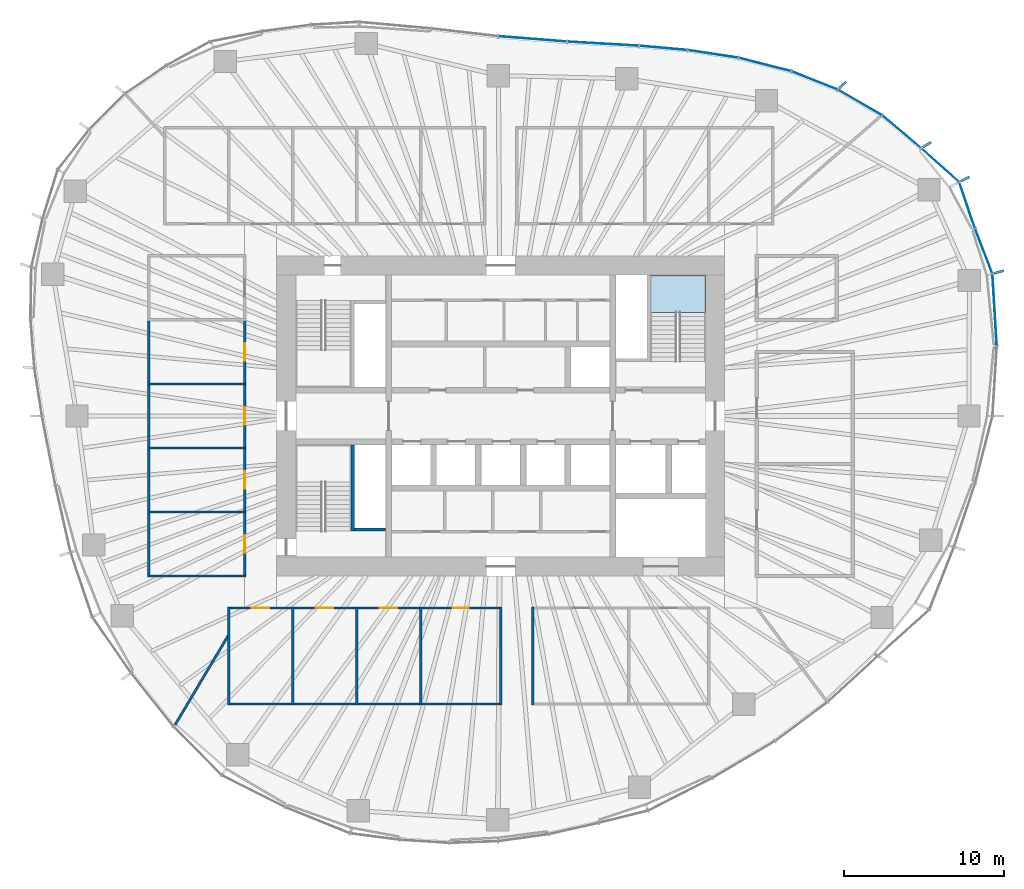
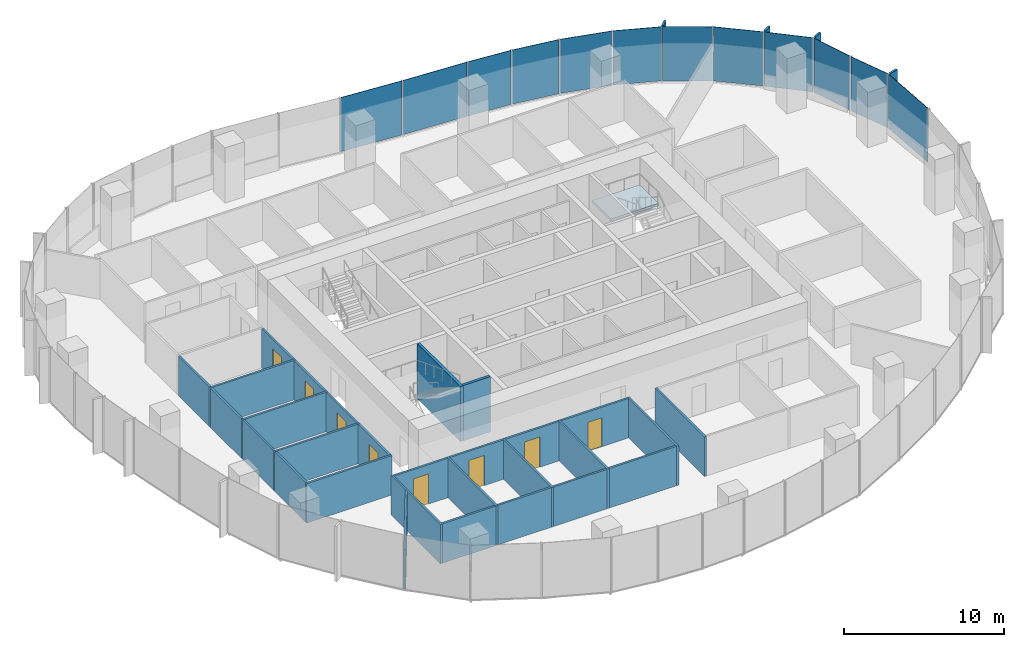
# One storey, part 8 of 18: 29 walls, 16 plates, 8 doors, 1 slab, 8 openings, 6 elements without a shape of their own.
"""IFC4 building model written with IfcOpenShell, lengths in metres."""

from ifc_helpers import new_model, si_unit, direction, frame, frame_2d, origin, origin_2d, place, context, subcontext, project, spatial, polyline, rectangle, outline, extrude, material, layer, layer_set, type_object, element, fill, aggregate, save


model = new_model("IFC4")

# Units and contexts
model_context = context("Model", 3, precision=1e-05, world=origin(), true_north=direction((0.0, 1.0)))
body_context = subcontext(model_context, "Body", "Model", "MODEL_VIEW")
ifc_project = project(units=[si_unit("LENGTHUNIT", "METRE"), si_unit("AREAUNIT", "SQUARE_METRE"), si_unit("VOLUMEUNIT", "CUBIC_METRE"), si_unit("PLANEANGLEUNIT", "RADIAN"), si_unit("MASSUNIT", "GRAM", prefix="KILO")], contexts=[model_context])

# Site, building, storey
site_placement = place(None, origin())
site = spatial("IfcSite", under=ifc_project, at=site_placement, CompositionType="ELEMENT")
building_placement = place(site_placement, origin())
building = spatial("IfcBuilding", under=site, at=building_placement, Name="Ghaith Harvest Tower", CompositionType="ELEMENT")
storey_placement = place(building_placement, frame((0.0, 0.0, 168.0)))
storey = spatial("IfcBuildingStorey", under=building, at=storey_placement, Name="L36", CompositionType="ELEMENT", Elevation=168.0)

# Curtain wall, plate
ifc_material_1 = material(Name="Black anodised aluminium and fritted glass", Category="aluminium")
curtain_wall_type = type_object("IfcCurtainWallType", Name="CW-L CURTAIN WALL", PredefinedType="NOTDEFINED", material=ifc_material_1)
curtain_wall_1_placement = place(storey_placement, origin())
curtain_wall_1 = element("IfcCurtainWall", 1, at=curtain_wall_1_placement, inside=storey, type_object=curtain_wall_type, Name="Curtain wall CW-L bay 01 L36", PredefinedType="NOTDEFINED")
ifc_material_2 = material(Name="Glass, dark solar-control fritted double glazed unit", Category="glass")
ifc_layer_1 = layer(ifc_material_2, 0.031982421875)
ifc_layer_set_1 = layer_set([ifc_layer_1], Name="CW-L VISION PANEL")
plate_type_1 = type_object("IfcPlateType", Name="CW-L VISION PANEL", PredefinedType="CURTAIN_PANEL", material=ifc_layer_set_1)
plate_1_placement = place(storey_placement, frame((30.863037109375, 6.63525390625, 0.079833984375), z_axis=(0.0, 0.0, 1.0), x_axis=(-0.060320650032, 0.998179051663, 0.0)))
plate_1 = element("IfcPlate", 2, at=plate_1_placement, type_object=plate_type_1, Name="CW-L glass unit 2 bay 01 L36", PredefinedType="CURTAIN_PANEL", context=body_context, shape_type="SweptSolid", body=[
    extrude(rectangle(XDim=4.419189453125, YDim=0.031982421875, at=origin_2d()), origin(), (0.0, 0.0, 1.0), 4.1201171875),
])
aggregate(curtain_wall_1, [plate_1])

# Curtain wall, plates
curtain_wall_2_placement = place(storey_placement, origin())
curtain_wall_2 = element("IfcCurtainWall", 3, at=curtain_wall_2_placement, inside=storey, type_object=curtain_wall_type, Name="Curtain wall CW-L bay 02 L36", PredefinedType="NOTDEFINED")
plate_2_placement = place(storey_placement, frame((30.180908203125, 10.29833984375, 0.079833984375), z_axis=(0.0, 0.0, 1.0), x_axis=(-0.359676824997, 0.933076943001, 0.0)))
plate_2 = element("IfcPlate", 4, at=plate_2_placement, type_object=plate_type_1, Name="CW-L glass unit 1 bay 02 L36", PredefinedType="CURTAIN_PANEL", context=body_context, shape_type="SweptSolid", body=[
    extrude(rectangle(XDim=2.95849609375, YDim=0.031982421875, at=origin_2d()), origin(), (0.0, 0.0, 1.0), 4.1201171875),
])
plate_3_placement = place(storey_placement, frame((29.142333984375, 13.163818359375, 0.079833984375), z_axis=(0.0, 0.0, 1.0), x_axis=(-0.321853304376, 0.946789549194, 0.0)))
plate_3 = element("IfcPlate", 5, at=plate_3_placement, type_object=plate_type_1, Name="CW-L glass unit 2 bay 02 L36", PredefinedType="CURTAIN_PANEL", context=body_context, shape_type="SweptSolid", body=[
    extrude(rectangle(XDim=2.978759765625, YDim=0.031982421875, at=origin_2d()), origin(), (0.0, 0.0, 1.0), 4.1201171875),
])
plate_4_placement = place(storey_placement, frame((27.46533203125, 15.668701171875, 0.079833984375), z_axis=(0.0, 0.0, 1.0), x_axis=(-0.746250544556, 0.665665174656, 0.0)))
plate_4 = element("IfcPlate", 6, at=plate_4_placement, type_object=plate_type_1, Name="CW-L glass unit 3 bay 02 L36", PredefinedType="CURTAIN_PANEL", context=body_context, shape_type="SweptSolid", body=[
    extrude(rectangle(XDim=3.094970703125, YDim=0.031982421875, at=origin_2d()), origin(), (0.0, 0.0, 1.0), 4.1201171875),
])
aggregate(curtain_wall_2, [plate_2, plate_3, plate_4])

curtain_wall_3_placement = place(storey_placement, origin())
curtain_wall_3 = element("IfcCurtainWall", 7, at=curtain_wall_3_placement, inside=storey, type_object=curtain_wall_type, Name="Curtain wall CW-L bay 03 L36", PredefinedType="NOTDEFINED")
plate_5_placement = place(storey_placement, frame((25.05126953125, 17.7587890625, 0.079833984375), z_axis=(0.0, 0.0, 1.0), x_axis=(-0.765473064857, 0.643467937801, 0.0)))
plate_5 = element("IfcPlate", 8, at=plate_5_placement, type_object=plate_type_1, Name="CW-L glass unit 1 bay 03 L36", PredefinedType="CURTAIN_PANEL", context=body_context, shape_type="SweptSolid", body=[
    extrude(rectangle(XDim=3.13232421875, YDim=0.031982421875, at=origin_2d()), origin(), (0.0, 0.0, 1.0), 4.1201171875),
])
plate_6_placement = place(storey_placement, frame((22.444091796875, 19.590576171875, 0.079833984375), z_axis=(0.0, 0.0, 1.0), x_axis=(-0.865232087993, 0.501371552751, 0.0)))
plate_6 = element("IfcPlate", 9, at=plate_6_placement, type_object=plate_type_1, Name="CW-L glass unit 2 bay 03 L36", PredefinedType="CURTAIN_PANEL", context=body_context, shape_type="SweptSolid", body=[
    extrude(rectangle(XDim=3.10498046875, YDim=0.031982421875, at=origin_2d()), origin(), (0.0, 0.0, 1.0), 4.1201171875),
])
plate_7_placement = place(storey_placement, frame((19.6142578125, 20.963623046875, 0.079833984375), z_axis=(0.0, 0.0, 1.0), x_axis=(-0.929876534019, 0.367871759558, 0.0)))
plate_7 = element("IfcPlate", 10, at=plate_7_placement, type_object=plate_type_1, Name="CW-L glass unit 3 bay 03 L36", PredefinedType="CURTAIN_PANEL", context=body_context, shape_type="SweptSolid", body=[
    extrude(rectangle(XDim=3.042724609375, YDim=0.031982421875, at=origin_2d()), origin(), (0.0, 0.0, 1.0), 4.1201171875),
])
aggregate(curtain_wall_3, [plate_5, plate_6, plate_7])

curtain_wall_4_placement = place(storey_placement, origin())
curtain_wall_4 = element("IfcCurtainWall", 11, at=curtain_wall_4_placement, inside=storey, type_object=curtain_wall_type, Name="Curtain wall CW-L bay 04 L36", PredefinedType="NOTDEFINED")
plate_8_placement = place(storey_placement, frame((16.513427734375, 21.958740234375, 0.079833984375), z_axis=(0.0, 0.0, 1.0), x_axis=(-0.96893110987, 0.247330758955, 0.0)))
plate_8 = element("IfcPlate", 12, at=plate_8_placement, type_object=plate_type_1, Name="CW-L glass unit 1 bay 04 L36", PredefinedType="CURTAIN_PANEL", context=body_context, shape_type="SweptSolid", body=[
    extrude(rectangle(XDim=3.3232421875, YDim=0.031982421875, at=origin_2d()), origin(), (0.0, 0.0, 1.0), 4.1201171875),
])
plate_9_placement = place(storey_placement, frame((13.2685546875, 22.621826171875, 0.079833984375), z_axis=(0.0, 0.0, 1.0), x_axis=(-0.988678736369, 0.150047846542, 0.0)))
plate_9 = element("IfcPlate", 13, at=plate_9_placement, type_object=plate_type_1, Name="CW-L glass unit 2 bay 04 L36", PredefinedType="CURTAIN_PANEL", context=body_context, shape_type="SweptSolid", body=[
    extrude(rectangle(XDim=3.14892578125, YDim=0.031982421875, at=origin_2d()), origin(), (0.0, 0.0, 1.0), 4.1201171875),
])
plate_10_placement = place(storey_placement, frame((10.15966796875, 22.9970703125, 0.079833984375), z_axis=(0.0, 0.0, 1.0), x_axis=(-0.996166190972, 0.087480969151, 0.0)))
plate_10 = element("IfcPlate", 14, at=plate_10_placement, type_object=plate_type_1, Name="CW-L glass unit 3 bay 04 L36", PredefinedType="CURTAIN_PANEL", context=body_context, shape_type="SweptSolid", body=[
    extrude(rectangle(XDim=2.957275390625, YDim=0.031982421875, at=origin_2d()), origin(), (0.0, 0.0, 1.0), 4.1201171875),
])
aggregate(curtain_wall_4, [plate_8, plate_9, plate_10])

curtain_wall_5_placement = place(storey_placement, origin())
curtain_wall_5 = element("IfcCurtainWall", 15, at=curtain_wall_5_placement, inside=storey, type_object=curtain_wall_type, Name="Curtain wall CW-L bay 05 L36", PredefinedType="NOTDEFINED")
plate_11_placement = place(storey_placement, frame((6.396728515625, 23.260498046875, 0.079833984375), z_axis=(0.0, 0.0, 1.0), x_axis=(-0.998320798751, 0.05792739233, 0.0)))
plate_11 = element("IfcPlate", 16, at=plate_11_placement, type_object=plate_type_1, Name="CW-L glass unit 1 bay 05 L36", PredefinedType="CURTAIN_PANEL", context=body_context, shape_type="SweptSolid", body=[
    extrude(rectangle(XDim=4.427734375, YDim=0.031982421875, at=origin_2d()), origin(), (0.0, 0.0, 1.0), 4.1201171875),
])
plate_12_placement = place(storey_placement, frame((1.9921875, 23.560302734375, 0.079833984375), z_axis=(0.0, 0.0, 1.0), x_axis=(-0.996925121312, 0.078360082291, 0.0)))
plate_12 = element("IfcPlate", 17, at=plate_12_placement, type_object=plate_type_1, Name="CW-L glass unit 2 bay 05 L36", PredefinedType="CURTAIN_PANEL", context=body_context, shape_type="SweptSolid", body=[
    extrude(rectangle(XDim=4.242431640625, YDim=0.031982421875, at=origin_2d()), origin(), (0.0, 0.0, 1.0), 4.1201171875),
])
aggregate(curtain_wall_5, [plate_11, plate_12])

# Stair, slab
ifc_material_3 = material(Name="Concrete C40/50, precast", Category="concrete")
stair_type = type_object("IfcStairType", Name="CORE STAIR 24R", PredefinedType="HALF_TURN_STAIR", material=ifc_material_3)
stair_placement = place(storey_placement, origin())
stair = element("IfcStair", 18, at=stair_placement, inside=storey, type_object=stair_type, Name="Stair ST2 L36", PredefinedType="HALF_TURN_STAIR")
ifc_material_4 = material(Name="Concrete C40/50, precast", Category="concrete")
ifc_layer_2 = layer(ifc_material_4, 0.179931640625)
ifc_layer_set_2 = layer_set([ifc_layer_2], Name="STAIR LANDING 180")
slab_type = type_object("IfcSlabType", Name="STAIR LANDING 180", PredefinedType="LANDING", material=ifc_layer_set_2)
slab_placement = place(storey_placement, frame((0.0, 0.0, 1.919921875)))
slab = element("IfcSlab", 19, at=slab_placement, type_object=slab_type, Name="ST2 landing 1", PredefinedType="LANDING", context=body_context, shape_type="SweptSolid", body=[
    extrude(outline(polyline([(12.800048828125, 6.4599609375), (12.800048828125, 8.800048828125), (9.35009765625, 8.800048828125), (9.35009765625, 6.4599609375), (12.800048828125, 6.4599609375)])), origin(), (0.0, 0.0, 1.0), 0.18017578125),
])
aggregate(stair, [slab])

# Plates
ifc_material_5 = material(Name="Glassfibre-reinforced concrete", Category="concrete")
ifc_layer_3 = layer(ifc_material_5, 0.14990234375)
ifc_layer_set_3 = layer_set([ifc_layer_3], Name="SUN-BREAKER FIN 600x150")
plate_type_2 = type_object("IfcPlateType", Name="SUN-BREAKER FIN 600x150", PredefinedType="USERDEFINED", material=ifc_layer_set_3)
for number, where, z_axis, x_axis, name in (
    (20, (31.130859375, 8.99755859375, 0.0), (0.0, 0.0, 1.0), (0.960680349985, 0.277656739792, 0.0), "Sun-breaker fin CW-L 1 bay 02 L36"),
    (21, (29.024169921875, 14.802734375, 0.0), (0.0, 0.0, 1.0), (0.890830752257, 0.454335306611, 0.0), "Sun-breaker fin CW-L 3 bay 02 L36"),
    (22, (26.635009765625, 16.95068359375, 0.0), (0.0, 0.0, 1.0), (0.843643971464, 0.536903016766, 0.0), "Sun-breaker fin CW-L 1 bay 03 L36"),
    (23, (21.367919921875, 20.68115234375, 0.0), (0.0, 0.0, 1.0), (0.7185589652, 0.69546604053, 0.0), "Sun-breaker fin CW-L 3 bay 03 L36"),
):
    element("IfcPlate", number, at=place(storey_placement, frame(where, z_axis=z_axis, x_axis=x_axis)), inside=storey, type_object=plate_type_2, Name=name, ObjectType="SUN-BREAKER FIN", PredefinedType="USERDEFINED", context=body_context, shape_type="SweptSolid", body=[
        extrude(rectangle(XDim=0.60009765625, YDim=0.14990234375, at=origin_2d()), origin(), (0.0, 0.0, 1.0), 4.199951171875),
    ])

# Walls
ifc_material_6 = material(Name="Gypsum board on steel studs", Category="steel")
ifc_layer_4 = layer(ifc_material_6, 0.14990234375)
ifc_layer_set_4 = layer_set([ifc_layer_4], Name="PARTITION 150")
wall_type_1 = type_object("IfcWallType", Name="PARTITION 150", PredefinedType="PARTITIONING", material=ifc_layer_set_4)
for number, where, z_axis, x_axis, name in (
    (24, (-17.0, -11.925048828125, 0.0), (0.0, 0.0, 1.0), (0.0, -1.0, 0.0), "Partition L36 row S4 cross wall 1"),
    (25, (-13.0, -11.925048828125, 0.0), (0.0, 0.0, 1.0), (0.0, -1.0, 0.0), "Partition L36 row S4 cross wall 2"),
    (26, (-9.0, -11.925048828125, 0.0), (0.0, 0.0, 1.0), (0.0, -1.0, 0.0), "Partition L36 row S4 cross wall 3"),
    (27, (-5.0, -11.925048828125, 0.0), (0.0, 0.0, 1.0), (0.0, -1.0, 0.0), "Partition L36 row S4 cross wall 4"),
    (28, (0.0, -11.925048828125, 0.0), (0.0, 0.0, 1.0), (0.0, -1.0, 0.0), "Partition L36 row S4 cross wall 5"),
):
    element("IfcWall", number, at=place(storey_placement, frame(where, z_axis=z_axis, x_axis=x_axis)), inside=storey, type_object=wall_type_1, Name=name, PredefinedType="PARTITIONING", context=body_context, shape_type="SweptSolid", body=[
        extrude(rectangle(XDim=6.14990234375, YDim=0.14990234375, at=frame_2d((3.074951171875, 0.0))), origin(), (0.0, 0.0, 1.0), 3.0),
    ])

# Wall, opening, door
wall_1_placement = place(storey_placement, frame((-16.925048828125, -12.0, 0.0), z_axis=(0.0, 0.0, 1.0), x_axis=(1.0, 0.0, 0.0)))
wall_1 = element("IfcWall", 29, at=wall_1_placement, inside=storey, type_object=wall_type_1, Name="Partition L36-12", PredefinedType="PARTITIONING", context=body_context, shape_type="SweptSolid", body=[
    extrude(rectangle(XDim=3.85009765625, YDim=0.14990234375, at=frame_2d((1.925048828125, 0.0))), origin(), (0.0, 0.0, 1.0), 3.0),
])
opening_1_placement = place(wall_1_placement, frame((1.375, 0.0, 0.0)))
opening_1 = element("IfcOpeningElement", 30, at=opening_1_placement, cuts=wall_1, Name="Opening 36-039", PredefinedType="OPENING", context=body_context, shape_type="SweptSolid", body=[
    extrude(rectangle(XDim=1.10009765625, YDim=2.300048828125, at=frame_2d((0.550048828125, 1.14990234375))), frame((0.0, 0.0849609375, 0.0), z_axis=(0.0, -1.0, 0.0), x_axis=(1.0, 0.0, 0.0)), (0.0, 0.0, 1.0), 0.169921875),
])
ifc_material_7 = material(Name="Timber-framed glazed door", Category="wood")
door_type_1 = type_object("IfcDoorType", Name="D12 GLAZED OFFICE 1100x2300", OperationType="SINGLE_SWING_LEFT", PredefinedType="DOOR", material=ifc_material_7)
door_1_placement = place(opening_1_placement, origin())
door_1 = element("IfcDoor", 31, at=door_1_placement, inside=storey, type_object=door_type_1, Name="Office door", OperationType="SINGLE_SWING_LEFT", OverallHeight=2.300048828125, OverallWidth=1.10009765625, PredefinedType="DOOR", context=body_context, shape_type="SweptSolid", body=[
    extrude(rectangle(XDim=1.10009765625, YDim=2.300048828125, at=frame_2d((0.550048828125, 1.14990234375))), frame((0.0, 0.02490234375, 0.0), z_axis=(0.0, -1.0, 0.0), x_axis=(1.0, 0.0, 0.0)), (0.0, 0.0, 1.0), 0.050048828125),
])
fill(opening_1, door_1)

# Wall
wall_2_placement = place(storey_placement, frame((-16.925048828125, -18.0, 0.0), z_axis=(0.0, 0.0, 1.0), x_axis=(1.0, 0.0, 0.0)))
element("IfcWall", 32, at=wall_2_placement, inside=storey, type_object=wall_type_1, Name="Partition L36-12", PredefinedType="PARTITIONING", context=body_context, shape_type="SweptSolid", body=[
    extrude(rectangle(XDim=3.85009765625, YDim=0.14990234375, at=frame_2d((1.925048828125, 0.0))), origin(), (0.0, 0.0, 1.0), 3.0),
])

# Wall, opening, door
wall_3_placement = place(storey_placement, frame((-12.925048828125, -12.0, 0.0), z_axis=(0.0, 0.0, 1.0), x_axis=(1.0, 0.0, 0.0)))
wall_3 = element("IfcWall", 33, at=wall_3_placement, inside=storey, type_object=wall_type_1, Name="Partition L36-13", PredefinedType="PARTITIONING", context=body_context, shape_type="SweptSolid", body=[
    extrude(rectangle(XDim=3.85009765625, YDim=0.14990234375, at=frame_2d((1.925048828125, 0.0))), origin(), (0.0, 0.0, 1.0), 3.0),
])
opening_2_placement = place(wall_3_placement, frame((1.375, 0.0, 0.0)))
opening_2 = element("IfcOpeningElement", 34, at=opening_2_placement, cuts=wall_3, Name="Opening 36-040", PredefinedType="OPENING", context=body_context, shape_type="SweptSolid", body=[
    extrude(rectangle(XDim=1.10009765625, YDim=2.300048828125, at=frame_2d((0.550048828125, 1.14990234375))), frame((0.0, 0.0849609375, 0.0), z_axis=(0.0, -1.0, 0.0), x_axis=(1.0, 0.0, 0.0)), (0.0, 0.0, 1.0), 0.169921875),
])
door_2_placement = place(opening_2_placement, origin())
door_2 = element("IfcDoor", 35, at=door_2_placement, inside=storey, type_object=door_type_1, Name="Office door", OperationType="SINGLE_SWING_LEFT", OverallHeight=2.300048828125, OverallWidth=1.10009765625, PredefinedType="DOOR", context=body_context, shape_type="SweptSolid", body=[
    extrude(rectangle(XDim=1.10009765625, YDim=2.300048828125, at=frame_2d((0.550048828125, 1.14990234375))), frame((0.0, 0.02490234375, 0.0), z_axis=(0.0, -1.0, 0.0), x_axis=(1.0, 0.0, 0.0)), (0.0, 0.0, 1.0), 0.050048828125),
])
fill(opening_2, door_2)

# Wall
wall_4_placement = place(storey_placement, frame((-12.925048828125, -18.0, 0.0), z_axis=(0.0, 0.0, 1.0), x_axis=(1.0, 0.0, 0.0)))
element("IfcWall", 36, at=wall_4_placement, inside=storey, type_object=wall_type_1, Name="Partition L36-13", PredefinedType="PARTITIONING", context=body_context, shape_type="SweptSolid", body=[
    extrude(rectangle(XDim=3.85009765625, YDim=0.14990234375, at=frame_2d((1.925048828125, 0.0))), origin(), (0.0, 0.0, 1.0), 3.0),
])

# Wall, opening, door
wall_5_placement = place(storey_placement, frame((-8.925048828125, -12.0, 0.0), z_axis=(0.0, 0.0, 1.0), x_axis=(1.0, 0.0, 0.0)))
wall_5 = element("IfcWall", 37, at=wall_5_placement, inside=storey, type_object=wall_type_1, Name="Partition L36-14", PredefinedType="PARTITIONING", context=body_context, shape_type="SweptSolid", body=[
    extrude(rectangle(XDim=3.85009765625, YDim=0.14990234375, at=frame_2d((1.925048828125, 0.0))), origin(), (0.0, 0.0, 1.0), 3.0),
])
opening_3_placement = place(wall_5_placement, frame((1.375, 0.0, 0.0)))
opening_3 = element("IfcOpeningElement", 38, at=opening_3_placement, cuts=wall_5, Name="Opening 36-041", PredefinedType="OPENING", context=body_context, shape_type="SweptSolid", body=[
    extrude(rectangle(XDim=1.10009765625, YDim=2.300048828125, at=frame_2d((0.550048828125, 1.14990234375))), frame((0.0, 0.0849609375, 0.0), z_axis=(0.0, -1.0, 0.0), x_axis=(1.0, 0.0, 0.0)), (0.0, 0.0, 1.0), 0.169921875),
])
door_3_placement = place(opening_3_placement, origin())
door_3 = element("IfcDoor", 39, at=door_3_placement, inside=storey, type_object=door_type_1, Name="Office door", OperationType="SINGLE_SWING_LEFT", OverallHeight=2.300048828125, OverallWidth=1.10009765625, PredefinedType="DOOR", context=body_context, shape_type="SweptSolid", body=[
    extrude(rectangle(XDim=1.10009765625, YDim=2.300048828125, at=frame_2d((0.550048828125, 1.14990234375))), frame((0.0, 0.02490234375, 0.0), z_axis=(0.0, -1.0, 0.0), x_axis=(1.0, 0.0, 0.0)), (0.0, 0.0, 1.0), 0.050048828125),
])
fill(opening_3, door_3)

# Wall
wall_6_placement = place(storey_placement, frame((-8.925048828125, -18.0, 0.0), z_axis=(0.0, 0.0, 1.0), x_axis=(1.0, 0.0, 0.0)))
element("IfcWall", 40, at=wall_6_placement, inside=storey, type_object=wall_type_1, Name="Partition L36-14", PredefinedType="PARTITIONING", context=body_context, shape_type="SweptSolid", body=[
    extrude(rectangle(XDim=3.85009765625, YDim=0.14990234375, at=frame_2d((1.925048828125, 0.0))), origin(), (0.0, 0.0, 1.0), 3.0),
])

# Wall, opening, door
wall_7_placement = place(storey_placement, frame((-4.925048828125, -12.0, 0.0), z_axis=(0.0, 0.0, 1.0), x_axis=(1.0, 0.0, 0.0)))
wall_7 = element("IfcWall", 41, at=wall_7_placement, inside=storey, type_object=wall_type_1, Name="Partition L36-15", PredefinedType="PARTITIONING", context=body_context, shape_type="SweptSolid", body=[
    extrude(rectangle(XDim=4.85009765625, YDim=0.14990234375, at=frame_2d((2.425048828125, 0.0))), origin(), (0.0, 0.0, 1.0), 3.0),
])
opening_4_placement = place(wall_7_placement, frame((1.925048828125, 0.0, 0.0)))
opening_4 = element("IfcOpeningElement", 42, at=opening_4_placement, cuts=wall_7, Name="Opening 36-042", PredefinedType="OPENING", context=body_context, shape_type="SweptSolid", body=[
    extrude(rectangle(XDim=1.0, YDim=2.199951171875, at=frame_2d((0.5, 1.10009765625))), frame((0.0, 0.0849609375, 0.0), z_axis=(0.0, -1.0, 0.0), x_axis=(1.0, 0.0, 0.0)), (0.0, 0.0, 1.0), 0.169921875),
])
ifc_material_8 = material(Name="Timber door", Category="wood")
door_type_2 = type_object("IfcDoorType", Name="D1 SINGLE 1000x2200", OperationType="SINGLE_SWING_LEFT", PredefinedType="DOOR", material=ifc_material_8)
door_4_placement = place(opening_4_placement, origin())
door_4 = element("IfcDoor", 43, at=door_4_placement, inside=storey, type_object=door_type_2, Name="Print room door", OperationType="SINGLE_SWING_LEFT", OverallHeight=2.199951171875, OverallWidth=1.0, PredefinedType="DOOR", context=body_context, shape_type="SweptSolid", body=[
    extrude(rectangle(XDim=1.0, YDim=2.199951171875, at=frame_2d((0.5, 1.10009765625))), frame((0.0, 0.02490234375, 0.0), z_axis=(0.0, -1.0, 0.0), x_axis=(1.0, 0.0, 0.0)), (0.0, 0.0, 1.0), 0.050048828125),
])
fill(opening_4, door_4)

# Walls
wall_8_placement = place(storey_placement, frame((-4.925048828125, -18.0, 0.0), z_axis=(0.0, 0.0, 1.0), x_axis=(1.0, 0.0, 0.0)))
element("IfcWall", 44, at=wall_8_placement, inside=storey, type_object=wall_type_1, Name="Partition L36-15", PredefinedType="PARTITIONING", context=body_context, shape_type="SweptSolid", body=[
    extrude(rectangle(XDim=4.85009765625, YDim=0.14990234375, at=frame_2d((2.425048828125, 0.0))), origin(), (0.0, 0.0, 1.0), 3.0),
])
for number, where, z_axis, x_axis, name in (
    (45, (2.0, -11.925048828125, 0.0), (0.0, 0.0, 1.0), (0.0, -1.0, 0.0), "Partition L36 row S5 cross wall 1"),
    (46, (-15.925048828125, -10.0, 0.0), (0.0, 0.0, 1.0), (-1.0, 0.0, 0.0), "Partition L36 row W6 cross wall 1"),
    (47, (-15.925048828125, -6.0, 0.0), (0.0, 0.0, 1.0), (-1.0, 0.0, 0.0), "Partition L36 row W6 cross wall 2"),
    (48, (-15.925048828125, -2.0, 0.0), (0.0, 0.0, 1.0), (-1.0, 0.0, 0.0), "Partition L36 row W6 cross wall 3"),
    (49, (-15.925048828125, 2.0, 0.0), (0.0, 0.0, 1.0), (-1.0, 0.0, 0.0), "Partition L36 row W6 cross wall 4"),
):
    element("IfcWall", number, at=place(storey_placement, frame(where, z_axis=z_axis, x_axis=x_axis)), inside=storey, type_object=wall_type_1, Name=name, PredefinedType="PARTITIONING", context=body_context, shape_type="SweptSolid", body=[
        extrude(rectangle(XDim=6.14990234375, YDim=0.14990234375, at=frame_2d((3.074951171875, 0.0))), origin(), (0.0, 0.0, 1.0), 3.0),
    ])

# Wall, opening, door
wall_9_placement = place(storey_placement, frame((-16.0, -9.925048828125, 0.0), z_axis=(0.0, 0.0, 1.0), x_axis=(0.0, 1.0, 0.0)))
wall_9 = element("IfcWall", 50, at=wall_9_placement, inside=storey, type_object=wall_type_1, Name="Partition L36-18", PredefinedType="PARTITIONING", context=body_context, shape_type="SweptSolid", body=[
    extrude(rectangle(XDim=3.85009765625, YDim=0.14990234375, at=frame_2d((1.925048828125, 0.0))), origin(), (0.0, 0.0, 1.0), 3.0),
])
opening_5_placement = place(wall_9_placement, frame((1.375, 0.0, 0.0)))
opening_5 = element("IfcOpeningElement", 51, at=opening_5_placement, cuts=wall_9, Name="Opening 36-045", PredefinedType="OPENING", context=body_context, shape_type="SweptSolid", body=[
    extrude(rectangle(XDim=1.10009765625, YDim=2.300048828125, at=frame_2d((0.550048828125, 1.14990234375))), frame((0.0, 0.0849609375, 0.0), z_axis=(0.0, -1.0, 0.0), x_axis=(1.0, 0.0, 0.0)), (0.0, 0.0, 1.0), 0.169921875),
])
door_5_placement = place(opening_5_placement, origin())
door_5 = element("IfcDoor", 52, at=door_5_placement, inside=storey, type_object=door_type_1, Name="Office door", OperationType="SINGLE_SWING_LEFT", OverallHeight=2.300048828125, OverallWidth=1.10009765625, PredefinedType="DOOR", context=body_context, shape_type="SweptSolid", body=[
    extrude(rectangle(XDim=1.10009765625, YDim=2.300048828125, at=frame_2d((0.550048828125, 1.14990234375))), frame((0.0, 0.02490234375, 0.0), z_axis=(0.0, -1.0, 0.0), x_axis=(1.0, 0.0, 0.0)), (0.0, 0.0, 1.0), 0.050048828125),
])
fill(opening_5, door_5)

# Wall
wall_10_placement = place(storey_placement, frame((-22.0, -9.925048828125, 0.0), z_axis=(0.0, 0.0, 1.0), x_axis=(0.0, 1.0, 0.0)))
element("IfcWall", 53, at=wall_10_placement, inside=storey, type_object=wall_type_1, Name="Partition L36-18", PredefinedType="PARTITIONING", context=body_context, shape_type="SweptSolid", body=[
    extrude(rectangle(XDim=3.85009765625, YDim=0.14990234375, at=frame_2d((1.925048828125, 0.0))), origin(), (0.0, 0.0, 1.0), 3.0),
])

# Wall, opening, door
wall_11_placement = place(storey_placement, frame((-16.0, -5.925048828125, 0.0), z_axis=(0.0, 0.0, 1.0), x_axis=(0.0, 1.0, 0.0)))
wall_11 = element("IfcWall", 54, at=wall_11_placement, inside=storey, type_object=wall_type_1, Name="Partition L36-19", PredefinedType="PARTITIONING", context=body_context, shape_type="SweptSolid", body=[
    extrude(rectangle(XDim=3.85009765625, YDim=0.14990234375, at=frame_2d((1.925048828125, 0.0))), origin(), (0.0, 0.0, 1.0), 3.0),
])
opening_6_placement = place(wall_11_placement, frame((1.375, 0.0, 0.0)))
opening_6 = element("IfcOpeningElement", 55, at=opening_6_placement, cuts=wall_11, Name="Opening 36-046", PredefinedType="OPENING", context=body_context, shape_type="SweptSolid", body=[
    extrude(rectangle(XDim=1.10009765625, YDim=2.300048828125, at=frame_2d((0.550048828125, 1.14990234375))), frame((0.0, 0.0849609375, 0.0), z_axis=(0.0, -1.0, 0.0), x_axis=(1.0, 0.0, 0.0)), (0.0, 0.0, 1.0), 0.169921875),
])
door_6_placement = place(opening_6_placement, origin())
door_6 = element("IfcDoor", 56, at=door_6_placement, inside=storey, type_object=door_type_1, Name="Office door", OperationType="SINGLE_SWING_LEFT", OverallHeight=2.300048828125, OverallWidth=1.10009765625, PredefinedType="DOOR", context=body_context, shape_type="SweptSolid", body=[
    extrude(rectangle(XDim=1.10009765625, YDim=2.300048828125, at=frame_2d((0.550048828125, 1.14990234375))), frame((0.0, 0.02490234375, 0.0), z_axis=(0.0, -1.0, 0.0), x_axis=(1.0, 0.0, 0.0)), (0.0, 0.0, 1.0), 0.050048828125),
])
fill(opening_6, door_6)

# Wall
wall_12_placement = place(storey_placement, frame((-22.0, -5.925048828125, 0.0), z_axis=(0.0, 0.0, 1.0), x_axis=(0.0, 1.0, 0.0)))
element("IfcWall", 57, at=wall_12_placement, inside=storey, type_object=wall_type_1, Name="Partition L36-19", PredefinedType="PARTITIONING", context=body_context, shape_type="SweptSolid", body=[
    extrude(rectangle(XDim=3.85009765625, YDim=0.14990234375, at=frame_2d((1.925048828125, 0.0))), origin(), (0.0, 0.0, 1.0), 3.0),
])

# Wall, opening, door
wall_13_placement = place(storey_placement, frame((-16.0, -1.925048828125, 0.0), z_axis=(0.0, 0.0, 1.0), x_axis=(0.0, 1.0, 0.0)))
wall_13 = element("IfcWall", 58, at=wall_13_placement, inside=storey, type_object=wall_type_1, Name="Partition L36-20", PredefinedType="PARTITIONING", context=body_context, shape_type="SweptSolid", body=[
    extrude(rectangle(XDim=3.85009765625, YDim=0.14990234375, at=frame_2d((1.925048828125, 0.0))), origin(), (0.0, 0.0, 1.0), 3.0),
])
opening_7_placement = place(wall_13_placement, frame((1.375, 0.0, 0.0)))
opening_7 = element("IfcOpeningElement", 59, at=opening_7_placement, cuts=wall_13, Name="Opening 36-047", PredefinedType="OPENING", context=body_context, shape_type="SweptSolid", body=[
    extrude(rectangle(XDim=1.10009765625, YDim=2.300048828125, at=frame_2d((0.550048828125, 1.14990234375))), frame((0.0, 0.0849609375, 0.0), z_axis=(0.0, -1.0, 0.0), x_axis=(1.0, 0.0, 0.0)), (0.0, 0.0, 1.0), 0.169921875),
])
door_7_placement = place(opening_7_placement, origin())
door_7 = element("IfcDoor", 60, at=door_7_placement, inside=storey, type_object=door_type_1, Name="Office door", OperationType="SINGLE_SWING_LEFT", OverallHeight=2.300048828125, OverallWidth=1.10009765625, PredefinedType="DOOR", context=body_context, shape_type="SweptSolid", body=[
    extrude(rectangle(XDim=1.10009765625, YDim=2.300048828125, at=frame_2d((0.550048828125, 1.14990234375))), frame((0.0, 0.02490234375, 0.0), z_axis=(0.0, -1.0, 0.0), x_axis=(1.0, 0.0, 0.0)), (0.0, 0.0, 1.0), 0.050048828125),
])
fill(opening_7, door_7)

# Wall
wall_14_placement = place(storey_placement, frame((-22.0, -1.925048828125, 0.0), z_axis=(0.0, 0.0, 1.0), x_axis=(0.0, 1.0, 0.0)))
element("IfcWall", 61, at=wall_14_placement, inside=storey, type_object=wall_type_1, Name="Partition L36-20", PredefinedType="PARTITIONING", context=body_context, shape_type="SweptSolid", body=[
    extrude(rectangle(XDim=3.85009765625, YDim=0.14990234375, at=frame_2d((1.925048828125, 0.0))), origin(), (0.0, 0.0, 1.0), 3.0),
])

# Wall, opening, door
wall_15_placement = place(storey_placement, frame((-16.0, 2.074951171875, 0.0), z_axis=(0.0, 0.0, 1.0), x_axis=(0.0, 1.0, 0.0)))
wall_15 = element("IfcWall", 62, at=wall_15_placement, inside=storey, type_object=wall_type_1, Name="Partition L36-21", PredefinedType="PARTITIONING", context=body_context, shape_type="SweptSolid", body=[
    extrude(rectangle(XDim=3.85009765625, YDim=0.14990234375, at=frame_2d((1.925048828125, 0.0))), origin(), (0.0, 0.0, 1.0), 3.0),
])
opening_8_placement = place(wall_15_placement, frame((1.375, 0.0, 0.0)))
opening_8 = element("IfcOpeningElement", 63, at=opening_8_placement, cuts=wall_15, Name="Opening 36-048", PredefinedType="OPENING", context=body_context, shape_type="SweptSolid", body=[
    extrude(rectangle(XDim=1.10009765625, YDim=2.300048828125, at=frame_2d((0.550048828125, 1.14990234375))), frame((0.0, 0.0849609375, 0.0), z_axis=(0.0, -1.0, 0.0), x_axis=(1.0, 0.0, 0.0)), (0.0, 0.0, 1.0), 0.169921875),
])
door_8_placement = place(opening_8_placement, origin())
door_8 = element("IfcDoor", 64, at=door_8_placement, inside=storey, type_object=door_type_1, Name="Office door", OperationType="SINGLE_SWING_LEFT", OverallHeight=2.300048828125, OverallWidth=1.10009765625, PredefinedType="DOOR", context=body_context, shape_type="SweptSolid", body=[
    extrude(rectangle(XDim=1.10009765625, YDim=2.300048828125, at=frame_2d((0.550048828125, 1.14990234375))), frame((0.0, 0.02490234375, 0.0), z_axis=(0.0, -1.0, 0.0), x_axis=(1.0, 0.0, 0.0)), (0.0, 0.0, 1.0), 0.050048828125),
])
fill(opening_8, door_8)

# Walls
wall_16_placement = place(storey_placement, frame((-22.0, 2.074951171875, 0.0), z_axis=(0.0, 0.0, 1.0), x_axis=(0.0, 1.0, 0.0)))
element("IfcWall", 65, at=wall_16_placement, inside=storey, type_object=wall_type_1, Name="Partition L36-21", PredefinedType="PARTITIONING", context=body_context, shape_type="SweptSolid", body=[
    extrude(rectangle(XDim=3.85009765625, YDim=0.14990234375, at=frame_2d((1.925048828125, 0.0))), origin(), (0.0, 0.0, 1.0), 3.0),
])
wall_17_placement = place(storey_placement, frame((-17.02001953125, -13.71337890625, 0.0), z_axis=(0.0, 0.0, 1.0), x_axis=(-0.511508304982, -0.859278333216, 0.0)))
element("IfcWall", 66, at=wall_17_placement, inside=storey, type_object=wall_type_1, Name="Partition L36 zone division", PredefinedType="PARTITIONING", context=body_context, shape_type="SweptSolid", body=[
    extrude(rectangle(XDim=6.49658203125, YDim=0.14990234375, at=frame_2d((3.248291015625, 0.0))), origin(), (0.0, 0.0, 1.0), 3.0),
])
ifc_material_9 = material(Name="Concrete C40/50", Category="concrete")
ifc_layer_5 = layer(ifc_material_9, 0.199951171875)
ifc_layer_set_5 = layer_set([ifc_layer_5], Name="STAIR SPINE WALL RC200")
wall_type_2 = type_object("IfcWallType", Name="STAIR SPINE WALL RC200", PredefinedType="SOLIDWALL", material=ifc_layer_set_5)
wall_18_placement = place(storey_placement, frame((-9.25, -7.199951171875, 0.0), z_axis=(0.0, 0.0, 1.0), x_axis=(0.0, 1.0, 0.0)))
element("IfcWall", 67, at=wall_18_placement, inside=storey, type_object=wall_type_2, Name="Stair ST3 spine wall L36", PredefinedType="SOLIDWALL", context=body_context, shape_type="SweptSolid", body=[
    extrude(rectangle(XDim=5.39990234375, YDim=0.199951171875, at=frame_2d((2.699951171875, 0.0))), origin(), (0.0, 0.0, 1.0), 4.199951171875),
])
wall_19_placement = place(storey_placement, frame((-9.14990234375, -7.10009765625, 0.0), z_axis=(0.0, 0.0, 1.0), x_axis=(1.0, 0.0, 0.0)))
element("IfcWall", 68, at=wall_19_placement, inside=storey, type_object=wall_type_2, Name="Stair ST3 spine wall return L36", PredefinedType="SOLIDWALL", context=body_context, shape_type="SweptSolid", body=[
    extrude(rectangle(XDim=1.949951171875, YDim=0.199951171875, at=frame_2d((0.97509765625, 0.0))), origin(), (0.0, 0.0, 1.0), 4.199951171875),
])

save(model, "model.ifc")
